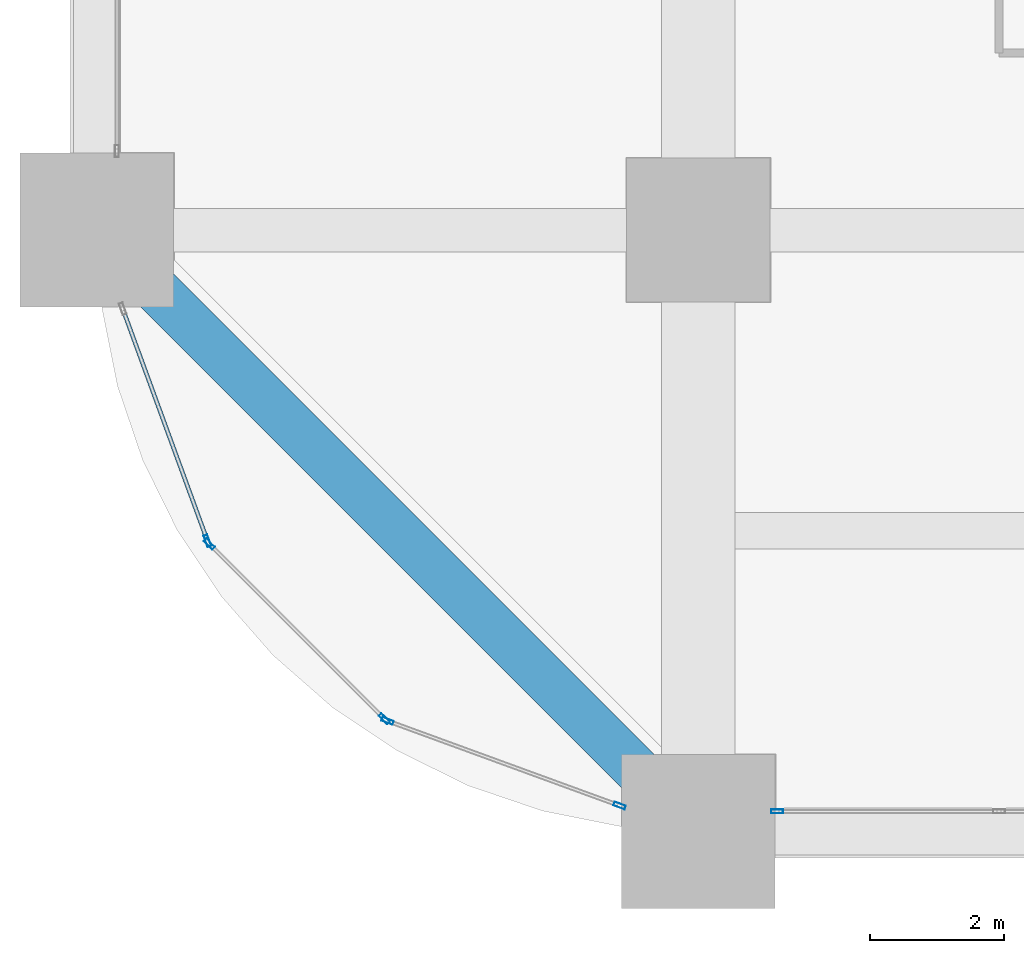
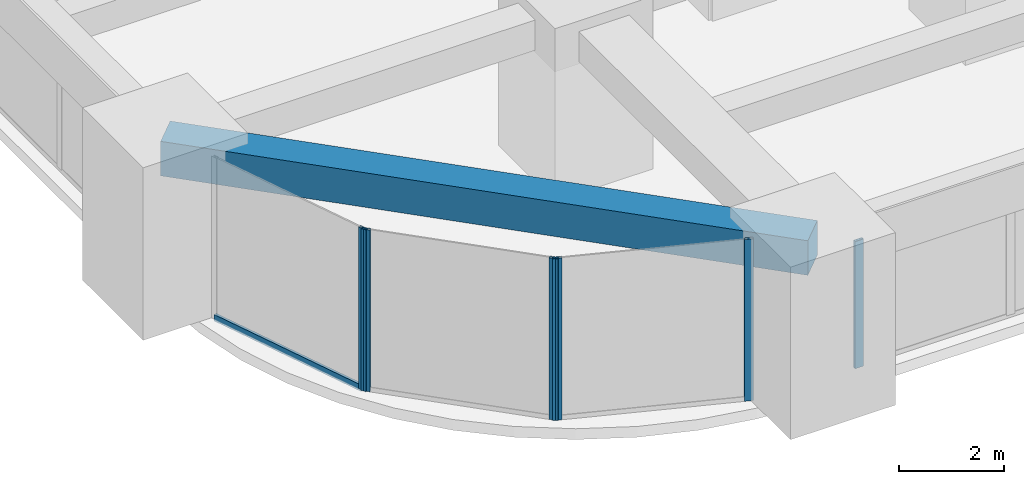
# One storey, part 2 of 44: 7 members, 1 beam, 4 elements without a shape of their own.
"""IFC4 building model written with IfcOpenShell, lengths in metres."""

from ifc_helpers import new_model, si_unit, direction, frame, origin, origin_2d, place, context, subcontext, project, spatial, rectangle, hollow_rectangle, extrude, material, material_profile, profile_set, type_object, element, aggregate, save


model = new_model("IFC4")

# Units and contexts
model_context = context("Model", 3, precision=1e-05, world=origin(), true_north=direction((0.0, 1.0)))
body_context = subcontext(model_context, "Body", "Model", "MODEL_VIEW")
ifc_project = project(units=[si_unit("LENGTHUNIT", "METRE"), si_unit("AREAUNIT", "SQUARE_METRE"), si_unit("VOLUMEUNIT", "CUBIC_METRE"), si_unit("PLANEANGLEUNIT", "RADIAN"), si_unit("MASSUNIT", "GRAM", prefix="KILO")], contexts=[model_context])

# Site, building, storey
site_placement = place(None, origin())
site = spatial("IfcSite", under=ifc_project, at=site_placement, CompositionType="ELEMENT")
building_placement = place(site_placement, origin())
building = spatial("IfcBuilding", under=site, at=building_placement, Name="Zorevar Civic Tower", CompositionType="ELEMENT")
storey_placement = place(building_placement, frame((0.0, 0.0, 59.800048828125)))
storey = spatial("IfcBuildingStorey", under=building, at=storey_placement, Name="L14", CompositionType="ELEMENT", Elevation=59.800048828125)

# Curtain wall, member
ifc_material_1 = material(Name="Dark grey solar-control glass in black aluminium frame", Category="aluminium")
curtain_wall_type = type_object("IfcCurtainWallType", Name="Curtain wall CW2 low zone", PredefinedType="NOTDEFINED", material=ifc_material_1)
curtain_wall_1_placement = place(storey_placement, origin())
curtain_wall_1 = element("IfcCurtainWall", 1, at=curtain_wall_1_placement, inside=storey, type_object=curtain_wall_type, Name="CW2 L14", PredefinedType="NOTDEFINED")
ifc_material_2 = material(Name="Aluminium, black anodised", Category="aluminium")
ifc_material_profile_1 = material_profile(ifc_material_2, hollow_rectangle(XDim=0.06005859375, YDim=0.179931640625, WallThickness=0.00390625, at=origin_2d()), Name="AL 180x60x4")
ifc_profile_set_1 = profile_set([ifc_material_profile_1], Name="Aluminium, black anodised")
member_type_1 = type_object("IfcMemberType", Name="CW2 mullion AL 180x60x4", PredefinedType="MULLION", material=ifc_profile_set_1)
member_1_placement = place(storey_placement, frame((10.179931640625, 0.300048828125, 0.0), z_axis=(0.0, 0.0, 1.0), x_axis=(0.0, 1.0, 0.0)))
member_1 = element("IfcMember", 2, at=member_1_placement, type_object=member_type_1, Name="CW2 mullion 1", PredefinedType="MULLION", context=body_context, shape_type="SweptSolid", body=[
    extrude(hollow_rectangle(XDim=0.06005859375, YDim=0.179931640625, WallThickness=0.00390625, at=origin_2d()), origin(), (0.0, 0.0, 1.0), 2.949951171875),
])
aggregate(curtain_wall_1, [member_1])

curtain_wall_2_placement = place(storey_placement, origin())
curtain_wall_2 = element("IfcCurtainWall", 3, at=curtain_wall_2_placement, inside=storey, type_object=curtain_wall_type, Name="CW2 L14", PredefinedType="NOTDEFINED")
member_2_placement = place(storey_placement, frame((1.65478515625, 4.349609375, 0.0), z_axis=(0.0, 0.0, 1.0), x_axis=(0.939313345732, 0.343060400701, 0.0)))
member_2 = element("IfcMember", 4, at=member_2_placement, type_object=member_type_1, Name="CW2 mullion 2", PredefinedType="MULLION", context=body_context, shape_type="SweptSolid", body=[
    extrude(hollow_rectangle(XDim=0.06005859375, YDim=0.179931640625, WallThickness=0.00390625, at=origin_2d()), origin(), (0.0, 0.0, 1.0), 3.75),
])

# Curtain wall, members
curtain_wall_3_placement = place(storey_placement, origin())
curtain_wall_3 = element("IfcCurtainWall", 5, at=curtain_wall_3_placement, inside=storey, type_object=curtain_wall_type, Name="CW2 L14", PredefinedType="NOTDEFINED")
member_3_placement = place(storey_placement, frame((1.686279296875, 4.30029296875, 0.0), z_axis=(0.0, 0.0, 1.0), x_axis=(0.707106781187, 0.707106781187, 0.0)))
member_3 = element("IfcMember", 6, at=member_3_placement, type_object=member_type_1, Name="CW2 mullion 1", PredefinedType="MULLION", context=body_context, shape_type="SweptSolid", body=[
    extrude(hollow_rectangle(XDim=0.06005859375, YDim=0.179931640625, WallThickness=0.00390625, at=origin_2d()), origin(), (0.0, 0.0, 1.0), 3.75),
])
member_4_placement = place(storey_placement, frame((4.30029296875, 1.686279296875, 0.0), z_axis=(0.0, 0.0, 1.0), x_axis=(0.707106781187, 0.707106781187, 0.0)))
member_4 = element("IfcMember", 7, at=member_4_placement, type_object=member_type_1, Name="CW2 mullion 2", PredefinedType="MULLION", context=body_context, shape_type="SweptSolid", body=[
    extrude(hollow_rectangle(XDim=0.06005859375, YDim=0.179931640625, WallThickness=0.00390625, at=origin_2d()), origin(), (0.0, 0.0, 1.0), 3.75),
])
aggregate(curtain_wall_3, [member_3, member_4])

curtain_wall_4_placement = place(storey_placement, origin())
curtain_wall_4 = element("IfcCurtainWall", 8, at=curtain_wall_4_placement, inside=storey, type_object=curtain_wall_type, Name="CW2 L14", PredefinedType="NOTDEFINED")
member_5_placement = place(storey_placement, frame((4.349609375, 1.65478515625, 0.0), z_axis=(0.0, 0.0, 1.0), x_axis=(0.343060400701, 0.939313345732, 0.0)))
member_5 = element("IfcMember", 9, at=member_5_placement, type_object=member_type_1, Name="CW2 mullion 1", PredefinedType="MULLION", context=body_context, shape_type="SweptSolid", body=[
    extrude(hollow_rectangle(XDim=0.06005859375, YDim=0.179931640625, WallThickness=0.00390625, at=origin_2d()), origin(), (0.0, 0.0, 1.0), 3.75),
])
member_6_placement = place(storey_placement, frame((7.82177734375, 0.38671875, 0.0), z_axis=(0.0, 0.0, 1.0), x_axis=(0.343060400701, 0.939313345732, 0.0)))
member_6 = element("IfcMember", 10, at=member_6_placement, type_object=member_type_1, Name="CW2 mullion 2", PredefinedType="MULLION", context=body_context, shape_type="SweptSolid", body=[
    extrude(hollow_rectangle(XDim=0.06005859375, YDim=0.179931640625, WallThickness=0.00390625, at=origin_2d()), origin(), (0.0, 0.0, 1.0), 3.75),
])
aggregate(curtain_wall_4, [member_5, member_6])

# Member
ifc_material_3 = material(Name="Aluminium, black anodised", Category="aluminium")
ifc_material_profile_2 = material_profile(ifc_material_3, hollow_rectangle(XDim=0.06005859375, YDim=0.14990234375, WallThickness=0.00390625, at=origin_2d()), Name="AL 150x60x4")
ifc_profile_set_2 = profile_set([ifc_material_profile_2], Name="Aluminium, black anodised")
member_type_2 = type_object("IfcMemberType", Name="CW2 transom AL 150x60x4", PredefinedType="USERDEFINED", material=ifc_profile_set_2)
member_7_placement = place(storey_placement, frame((0.39697265625, 7.793701171875, 0.030029296875), z_axis=(0.343047162808, -0.939318180432, 0.0), x_axis=(0.939318180432, 0.343047162808, 0.0)))
member_7 = element("IfcMember", 11, at=member_7_placement, type_object=member_type_2, Name="CW2 sill transom", ObjectType="TRANSOM", PredefinedType="USERDEFINED", context=body_context, shape_type="SweptSolid", body=[
    extrude(hollow_rectangle(XDim=0.06005859375, YDim=0.14990234375, WallThickness=0.00390625, at=origin_2d()), origin(), (0.0, 0.0, 1.0), 3.63671875),
])

aggregate(curtain_wall_2, [member_2, member_7])

# Beam
ifc_material_4 = material(Name="Concrete C50/60", Category="concrete")
ifc_material_profile_3 = material_profile(ifc_material_4, rectangle(XDim=0.699951171875, YDim=0.800048828125, at=origin_2d()), Name="RC 700x800")
ifc_profile_set_3 = profile_set([ifc_material_profile_3], Name="Concrete C50/60")
beam_type = type_object("IfcBeamType", Name="Edge beam RC 700x800", PredefinedType="SPANDREL", material=ifc_profile_set_3)
beam_placement = place(storey_placement, frame((0.0, 9.0, 3.349853515625), z_axis=(0.707106781187, -0.707106781187, 0.0), x_axis=(0.707106781187, 0.707106781187, 0.0)))
element("IfcBeam", 12, at=beam_placement, inside=storey, type_object=beam_type, Name="Corner edge beam L15", PredefinedType="SPANDREL", context=body_context, shape_type="SweptSolid", body=[
    extrude(rectangle(XDim=0.699951171875, YDim=0.800048828125, at=origin_2d()), origin(), (0.0, 0.0, 1.0), 12.72802734375),
])

save(model, "model.ifc")
